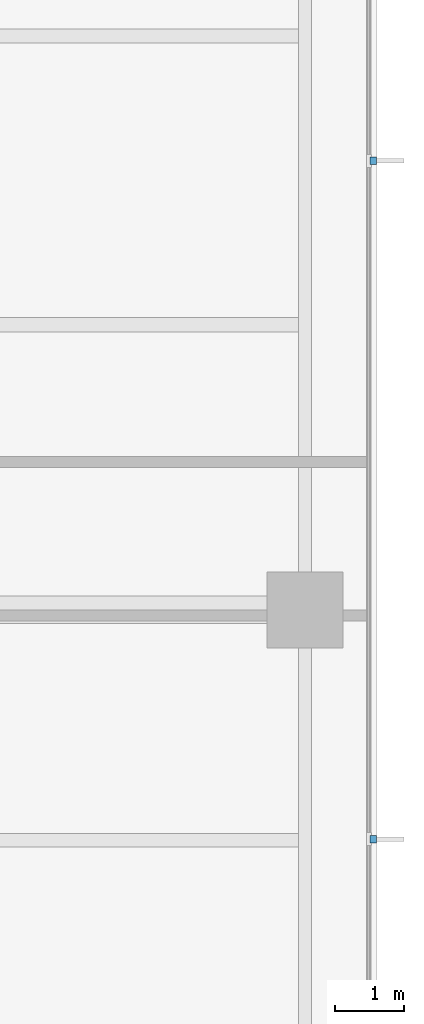
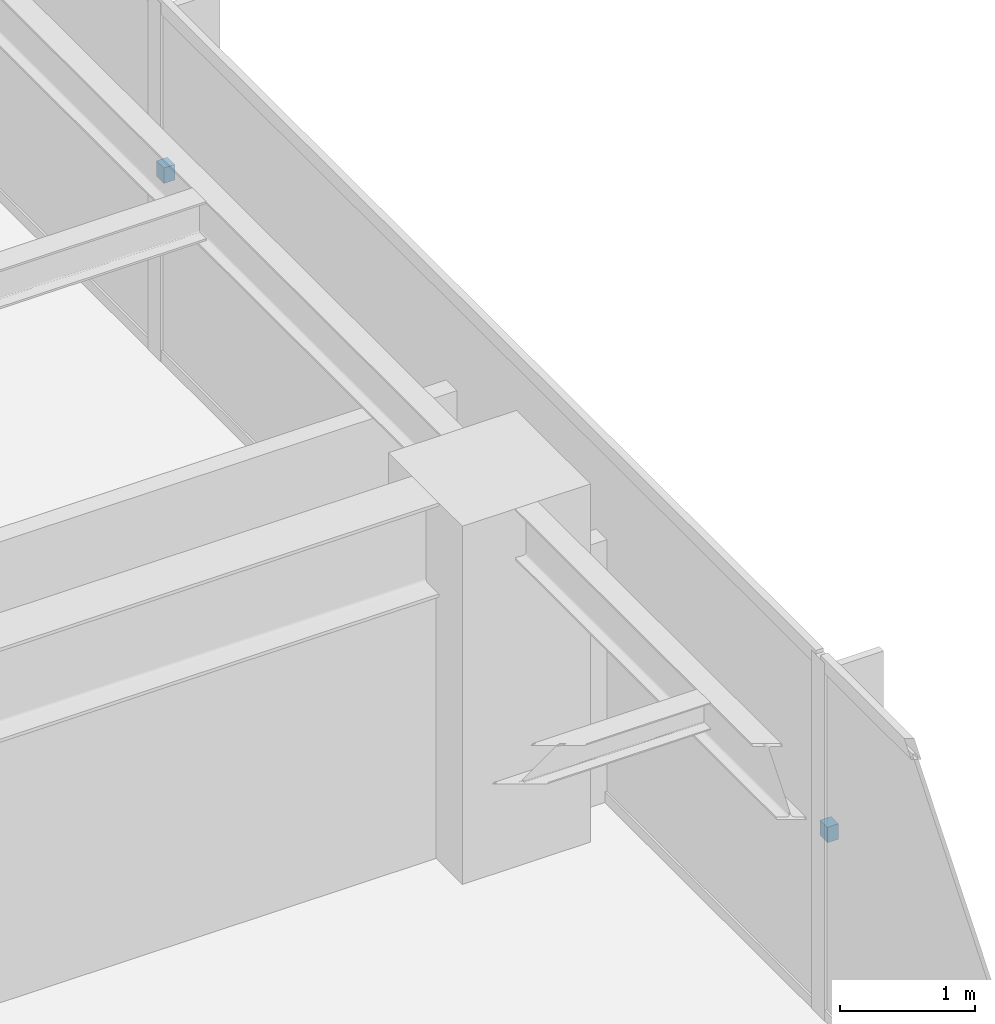
# One storey, part 12 of 15: 2 discrete accessories.
"""IFC4 building model written with IfcOpenShell, lengths in metres."""

from ifc_helpers import new_model, si_unit, direction, frame, origin, place, context, subcontext, project, spatial, polyline, outline, extrude, material, type_object, element, save


model = new_model("IFC4")

# Units and contexts
model_context = context("Model", 3, precision=1e-05, world=origin(), true_north=direction((0.0, 1.0)))
body_context = subcontext(model_context, "Body", "Model", "MODEL_VIEW")
ifc_project = project(units=[si_unit("LENGTHUNIT", "METRE"), si_unit("AREAUNIT", "SQUARE_METRE"), si_unit("VOLUMEUNIT", "CUBIC_METRE"), si_unit("PLANEANGLEUNIT", "RADIAN"), si_unit("MASSUNIT", "GRAM", prefix="KILO")], contexts=[model_context])

# Site, building, storey
site_placement = place(None, origin())
site = spatial("IfcSite", under=ifc_project, at=site_placement, CompositionType="ELEMENT")
building_placement = place(site_placement, origin())
building = spatial("IfcBuilding", under=site, at=building_placement, Name="Qalmaran Belvedere Hotel", CompositionType="ELEMENT")
storey_placement = place(building_placement, frame((0.0, 0.0, 173.60009765625)))
storey = spatial("IfcBuildingStorey", under=building, at=storey_placement, Name="L44", CompositionType="ELEMENT", Elevation=173.60009765625)

# Discrete accessories
ifc_material = material(Name="Stainless Steel 1.4401", Category="steel")
discrete_accessory_type = type_object("IfcDiscreteAccessoryType", Name="BRK-FIN-SS316", PredefinedType="BRACKET", material=ifc_material)
discrete_accessory_1_placement = place(storey_placement, frame((0.0, 0.0, 1.574951171875)))
element("IfcDiscreteAccessory", 1, at=discrete_accessory_1_placement, inside=storey, type_object=discrete_accessory_type, Name="L44 Fin Bracket 1", PredefinedType="BRACKET", context=body_context, shape_type="SweptSolid", body=[
    extrude(outline(polyline([(56.094970703125, 17.11181640625), (56.18994140625, 17.11181640625), (56.18994140625, 17.2216796875), (56.094970703125, 17.2216796875), (56.094970703125, 17.11181640625)])), origin(), (0.0, 0.0, 1.0), 0.139892578125),
])
discrete_accessory_2_placement = place(storey_placement, frame((0.0, 0.0, 1.574951171875)))
element("IfcDiscreteAccessory", 2, at=discrete_accessory_2_placement, inside=storey, type_object=discrete_accessory_type, Name="L44 Fin Bracket 2", PredefinedType="BRACKET", context=body_context, shape_type="SweptSolid", body=[
    extrude(outline(polyline([(56.094970703125, 26.978271484375), (56.18994140625, 26.978271484375), (56.18994140625, 27.08837890625), (56.094970703125, 27.08837890625), (56.094970703125, 26.978271484375)])), origin(), (0.0, 0.0, 1.0), 0.139892578125),
])

save(model, "model.ifc")
